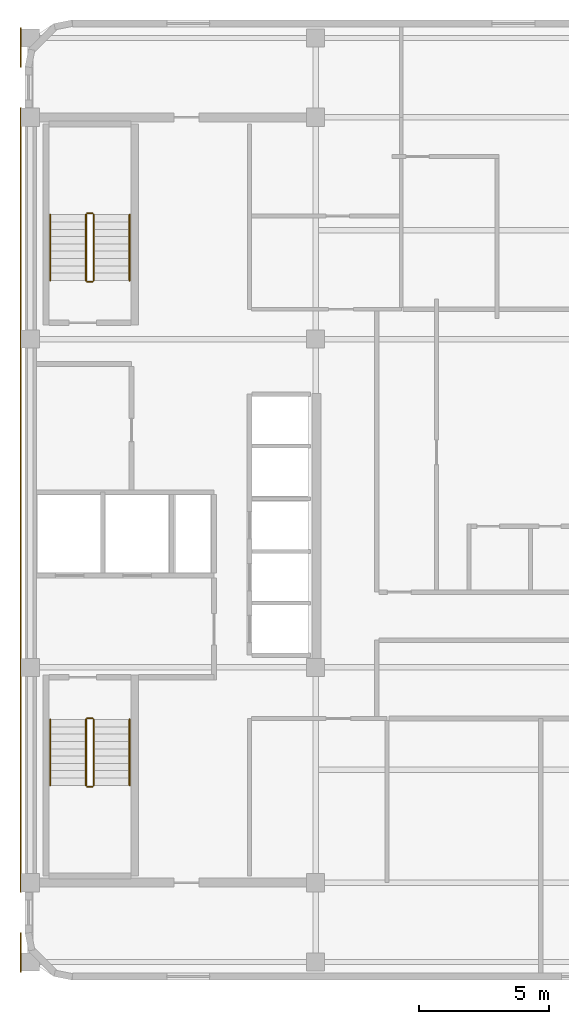
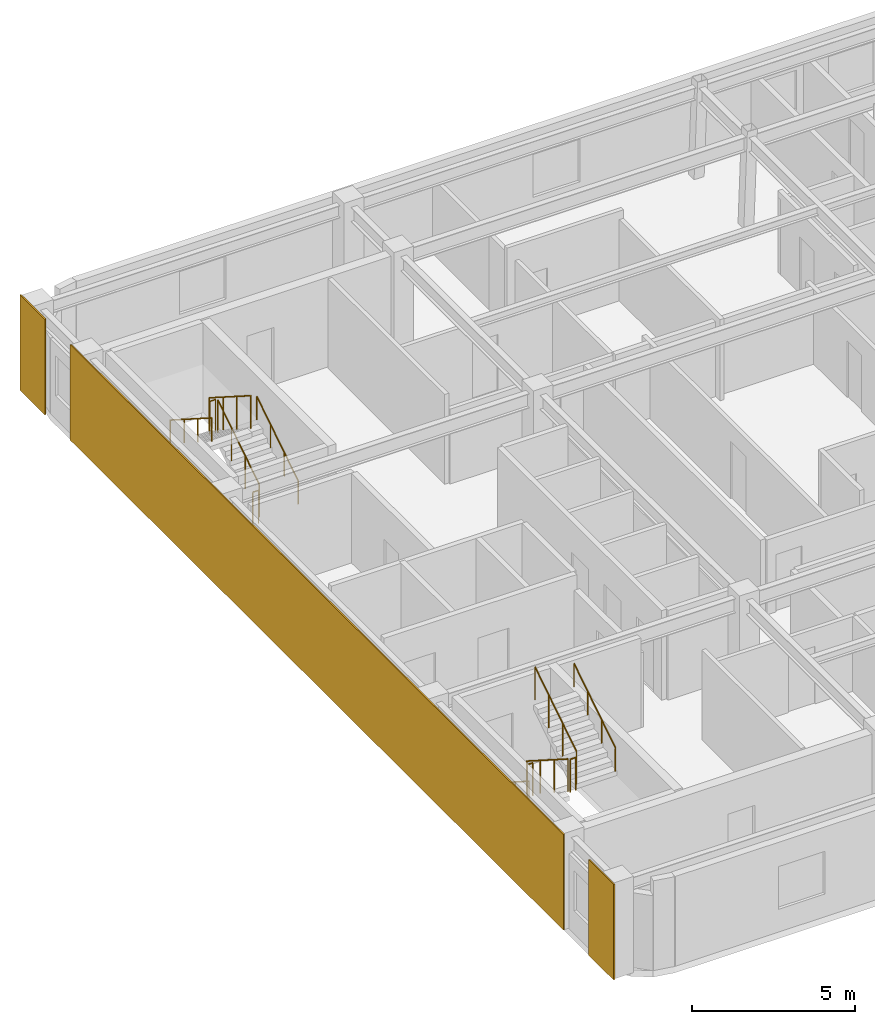
# One storey, part 7 of 7: 12 railings, 3 coverings.
"""IFC4 building model written with IfcOpenShell, lengths in metres."""

from ifc_helpers import new_model, si_unit, direction, frame, origin, origin_2d, place, context, subcontext, project, spatial, rectangle, circle, extrude, material, layer, layer_set, type_object, element, save


model = new_model("IFC4")

# Units and contexts
model_context = context("Model", 3, precision=1e-05, world=origin(), true_north=direction((0.0, 1.0)))
body_context = subcontext(model_context, "Body", "Model", "MODEL_VIEW")
ifc_project = project(units=[si_unit("LENGTHUNIT", "METRE"), si_unit("AREAUNIT", "SQUARE_METRE"), si_unit("VOLUMEUNIT", "CUBIC_METRE"), si_unit("PLANEANGLEUNIT", "RADIAN"), si_unit("MASSUNIT", "GRAM", prefix="KILO")], contexts=[model_context])

# Site, building, storey
site_placement = place(None, origin())
site = spatial("IfcSite", under=ifc_project, at=site_placement, CompositionType="ELEMENT")
building_placement = place(site_placement, origin())
building = spatial("IfcBuilding", under=site, at=building_placement, Name="Ochreholt Gables", CompositionType="ELEMENT")
storey_placement = place(building_placement, frame((0.0, 0.0, 216.60009765625)))
storey = spatial("IfcBuildingStorey", under=building, at=storey_placement, Name="L56", CompositionType="ELEMENT", Elevation=216.60009765625)

# Coverings
ifc_material_1 = material(Name="Glazed Ochre Terracotta Rainscreen Cladding", Category="masonry")
ifc_layer = layer(ifc_material_1, 0.044921875, Name="Glazed Ochre Terracotta Rainscreen Cladding")
ifc_layer_set = layer_set([ifc_layer], Name="Glazed Ochre Terracotta Rainscreen Cladding")
covering_type = type_object("IfcCoveringType", Name="COV-CLAD-TC", PredefinedType="CLADDING", material=ifc_layer_set)
covering_placement = place(storey_placement, frame((23.827880859375, 24.0, 0.009765625), z_axis=(0.0, 0.0, 1.0), x_axis=(0.0, 1.0, 0.0)))
element("IfcCovering", 1, at=covering_placement, inside=storey, type_object=covering_type, Name="L56 West Core Terracotta Rainscreen Cladding", PredefinedType="CLADDING", context=body_context, shape_type="SweptSolid", body=[
    extrude(rectangle(XDim=30.239990234375, YDim=0.044921875, at=origin_2d()), origin(), (0.0, 0.0, 1.0), 3.580078125),
])
for number, where, z_axis, x_axis, name in (
    (2, (23.827880859375, 6.56005859375, 0.009765625), (0.0, 0.0, 1.0), (0.0, 1.0, 0.0), "L56 South-West Pier Terracotta Cladding"),
    (3, (23.827880859375, 41.43994140625, 0.009765625), (0.0, 0.0, 1.0), (0.0, 1.0, 0.0), "L56 North-West Pier Terracotta Cladding"),
):
    element("IfcCovering", number, at=place(storey_placement, frame(where, z_axis=z_axis, x_axis=x_axis)), inside=storey, type_object=covering_type, Name=name, PredefinedType="CLADDING", context=body_context, shape_type="SweptSolid", body=[
        extrude(rectangle(XDim=1.52001953125, YDim=0.044921875, at=origin_2d()), origin(), (0.0, 0.0, 1.0), 3.580078125),
    ])

# Railings
ifc_material_2 = material(Name="Painted Steel Stair Guardrail", Category="steel")
railing_type_1 = type_object("IfcRailingType", Name="RL-ST-GUARD", PredefinedType="GUARDRAIL", material=ifc_material_2)
railing_1_placement = place(storey_placement, frame((26.35009765625, 15.5400390625, 0.179931640625)))
element("IfcRailing", 4, at=railing_1_placement, inside=storey, type_object=railing_type_1, Name="L56 ST-1 stair guard 1", PredefinedType="GUARDRAIL", context=body_context, shape_type="SweptSolid", body=[
    extrude(circle(Radius=0.02392578125, at=origin_2d()), frame((0.0, 0.0, 1.22607421875), z_axis=(0.0, -0.842949592929, 0.537992549931), x_axis=(1.0, 0.0, 0.0)), (0.0, 0.0, 1.0), 3.010986328125),
    extrude(circle(Radius=0.02099609375, at=origin_2d()), origin(), (0.0, 0.0, 1.0), 1.201904296875),
    extrude(circle(Radius=0.02099609375, at=origin_2d()), frame((0.0, -0.845947265625, 0.5400390625)), (0.0, 0.0, 1.0), 1.201904296875),
    extrude(circle(Radius=0.02099609375, at=origin_2d()), frame((0.0, -1.692138671875, 1.079833984375)), (0.0, 0.0, 1.0), 1.201904296875),
    extrude(circle(Radius=0.02099609375, at=origin_2d()), frame((0.0, -2.5380859375, 1.619873046875)), (0.0, 0.0, 1.0), 1.201904296875),
])
railing_2_placement = place(storey_placement, frame((26.39990234375, 12.951904296875, 1.7998046875)))
element("IfcRailing", 5, at=railing_2_placement, inside=storey, type_object=railing_type_1, Name="L56 ST-1 stair guard 2", PredefinedType="GUARDRAIL", context=body_context, shape_type="SweptSolid", body=[
    extrude(circle(Radius=0.02392578125, at=origin_2d()), frame((0.0, 0.0, 1.22607421875), z_axis=(1.0, 0.0, 0.0), x_axis=(0.0, 1.0, 0.0)), (0.0, 0.0, 1.0), 0.2001953125),
    extrude(circle(Radius=0.02099609375, at=origin_2d()), origin(), (0.0, 0.0, 1.0), 1.201904296875),
    extrude(circle(Radius=0.02099609375, at=origin_2d()), frame((0.2001953125, 0.0, 0.0)), (0.0, 0.0, 1.0), 1.201904296875),
])
railing_3_placement = place(storey_placement, frame((26.64990234375, 13.001953125, 1.97998046875)))
element("IfcRailing", 6, at=railing_3_placement, inside=storey, type_object=railing_type_1, Name="L56 ST-1 stair guard 3", PredefinedType="GUARDRAIL", context=body_context, shape_type="SweptSolid", body=[
    extrude(circle(Radius=0.02392578125, at=origin_2d()), frame((0.0, 0.0, 1.22607421875), z_axis=(0.0, 0.842949592929, 0.537992549931), x_axis=(-1.0, 0.0, 0.0)), (0.0, 0.0, 1.0), 3.010986328125),
    extrude(circle(Radius=0.02099609375, at=origin_2d()), origin(), (0.0, 0.0, 1.0), 1.201904296875),
    extrude(circle(Radius=0.02099609375, at=origin_2d()), frame((0.0, 0.845947265625, 0.5400390625)), (0.0, 0.0, 1.0), 1.201904296875),
    extrude(circle(Radius=0.02099609375, at=origin_2d()), frame((0.0, 1.692138671875, 1.079833984375)), (0.0, 0.0, 1.0), 1.201904296875),
    extrude(circle(Radius=0.02099609375, at=origin_2d()), frame((0.0, 2.5380859375, 1.619873046875)), (0.0, 0.0, 1.0), 1.201904296875),
])
railing_4_placement = place(storey_placement, frame((26.39990234375, 15.590087890625, 0.0)))
element("IfcRailing", 7, at=railing_4_placement, inside=storey, type_object=railing_type_1, Name="L56 ST-1 stair guard 4", PredefinedType="GUARDRAIL", context=body_context, shape_type="SweptSolid", body=[
    extrude(circle(Radius=0.02392578125, at=origin_2d()), frame((0.0, 0.0, 1.22607421875), z_axis=(1.0, 0.0, 0.0), x_axis=(0.0, 1.0, 0.0)), (0.0, 0.0, 1.0), 0.2001953125),
    extrude(circle(Radius=0.02099609375, at=origin_2d()), origin(), (0.0, 0.0, 1.0), 1.201904296875),
    extrude(circle(Radius=0.02099609375, at=origin_2d()), frame((0.2001953125, 0.0, 0.0)), (0.0, 0.0, 1.0), 1.201904296875),
])
railing_5_placement = place(storey_placement, frame((26.64990234375, 32.4599609375, 0.179931640625)))
element("IfcRailing", 8, at=railing_5_placement, inside=storey, type_object=railing_type_1, Name="L56 ST-2 stair guard 1", PredefinedType="GUARDRAIL", context=body_context, shape_type="SweptSolid", body=[
    extrude(circle(Radius=0.02392578125, at=origin_2d()), frame((0.0, 0.0, 1.22607421875), z_axis=(0.0, 0.842949592929, 0.537992549931), x_axis=(-1.0, 0.0, 0.0)), (0.0, 0.0, 1.0), 3.010986328125),
    extrude(circle(Radius=0.02099609375, at=origin_2d()), origin(), (0.0, 0.0, 1.0), 1.201904296875),
    extrude(circle(Radius=0.02099609375, at=origin_2d()), frame((0.0, 0.845947265625, 0.5400390625)), (0.0, 0.0, 1.0), 1.201904296875),
    extrude(circle(Radius=0.02099609375, at=origin_2d()), frame((0.0, 1.692138671875, 1.079833984375)), (0.0, 0.0, 1.0), 1.201904296875),
    extrude(circle(Radius=0.02099609375, at=origin_2d()), frame((0.0, 2.5380859375, 1.619873046875)), (0.0, 0.0, 1.0), 1.201904296875),
])
railing_6_placement = place(storey_placement, frame((26.60009765625, 35.048095703125, 1.7998046875)))
element("IfcRailing", 9, at=railing_6_placement, inside=storey, type_object=railing_type_1, Name="L56 ST-2 stair guard 2", PredefinedType="GUARDRAIL", context=body_context, shape_type="SweptSolid", body=[
    extrude(circle(Radius=0.02392578125, at=origin_2d()), frame((0.0, 0.0, 1.22607421875), z_axis=(-1.0, 0.0, 0.0), x_axis=(0.0, -1.0, 0.0)), (0.0, 0.0, 1.0), 0.2001953125),
    extrude(circle(Radius=0.02099609375, at=origin_2d()), origin(), (0.0, 0.0, 1.0), 1.201904296875),
    extrude(circle(Radius=0.02099609375, at=origin_2d()), frame((-0.2001953125, 0.0, 0.0)), (0.0, 0.0, 1.0), 1.201904296875),
])
railing_7_placement = place(storey_placement, frame((26.35009765625, 34.998046875, 1.97998046875)))
element("IfcRailing", 10, at=railing_7_placement, inside=storey, type_object=railing_type_1, Name="L56 ST-2 stair guard 3", PredefinedType="GUARDRAIL", context=body_context, shape_type="SweptSolid", body=[
    extrude(circle(Radius=0.02392578125, at=origin_2d()), frame((0.0, 0.0, 1.22607421875), z_axis=(0.0, -0.842949592929, 0.537992549931), x_axis=(1.0, 0.0, 0.0)), (0.0, 0.0, 1.0), 3.010986328125),
    extrude(circle(Radius=0.02099609375, at=origin_2d()), origin(), (0.0, 0.0, 1.0), 1.201904296875),
    extrude(circle(Radius=0.02099609375, at=origin_2d()), frame((0.0, -0.845947265625, 0.5400390625)), (0.0, 0.0, 1.0), 1.201904296875),
    extrude(circle(Radius=0.02099609375, at=origin_2d()), frame((0.0, -1.692138671875, 1.079833984375)), (0.0, 0.0, 1.0), 1.201904296875),
    extrude(circle(Radius=0.02099609375, at=origin_2d()), frame((0.0, -2.5380859375, 1.619873046875)), (0.0, 0.0, 1.0), 1.201904296875),
])
railing_8_placement = place(storey_placement, frame((26.60009765625, 32.409912109375, 0.0)))
element("IfcRailing", 11, at=railing_8_placement, inside=storey, type_object=railing_type_1, Name="L56 ST-2 stair guard 4", PredefinedType="GUARDRAIL", context=body_context, shape_type="SweptSolid", body=[
    extrude(circle(Radius=0.02392578125, at=origin_2d()), frame((0.0, 0.0, 1.22607421875), z_axis=(-1.0, 0.0, 0.0), x_axis=(0.0, -1.0, 0.0)), (0.0, 0.0, 1.0), 0.2001953125),
    extrude(circle(Radius=0.02099609375, at=origin_2d()), origin(), (0.0, 0.0, 1.0), 1.201904296875),
    extrude(circle(Radius=0.02099609375, at=origin_2d()), frame((-0.2001953125, 0.0, 0.0)), (0.0, 0.0, 1.0), 1.201904296875),
])
ifc_material_3 = material(Name="Brushed Stainless Steel Wall Handrail", Category="steel")
railing_type_2 = type_object("IfcRailingType", Name="RL-ST-HAND", PredefinedType="HANDRAIL", material=ifc_material_3)
railing_9_placement = place(storey_placement, frame((24.969970703125, 15.5400390625, 0.179931640625)))
element("IfcRailing", 12, at=railing_9_placement, inside=storey, type_object=railing_type_2, Name="L56 ST-1 stair handrail 1", PredefinedType="HANDRAIL", context=body_context, shape_type="SweptSolid", body=[
    extrude(circle(Radius=0.02392578125, at=origin_2d()), frame((0.0, 0.0, 0.8759765625), z_axis=(0.0, -0.842949592929, 0.537992549931), x_axis=(1.0, 0.0, 0.0)), (0.0, 0.0, 1.0), 3.010986328125),
    extrude(circle(Radius=0.02099609375, at=origin_2d()), origin(), (0.0, 0.0, 1.0), 0.851806640625),
    extrude(circle(Radius=0.02099609375, at=origin_2d()), frame((0.0, -0.845947265625, 0.5400390625)), (0.0, 0.0, 1.0), 0.851806640625),
    extrude(circle(Radius=0.02099609375, at=origin_2d()), frame((0.0, -1.692138671875, 1.079833984375)), (0.0, 0.0, 1.0), 0.851806640625),
    extrude(circle(Radius=0.02099609375, at=origin_2d()), frame((0.0, -2.5380859375, 1.619873046875)), (0.0, 0.0, 1.0), 0.851806640625),
])
for number, where, name in (
    (13, (28.030029296875, 13.001953125, 1.97998046875), "L56 ST-1 stair handrail 2"),
    (14, (28.030029296875, 32.4599609375, 0.179931640625), "L56 ST-2 stair handrail 1"),
):
    element("IfcRailing", number, at=place(storey_placement, frame(where)), inside=storey, type_object=railing_type_2, Name=name, PredefinedType="HANDRAIL", context=body_context, shape_type="SweptSolid", body=[
        extrude(circle(Radius=0.02392578125, at=origin_2d()), frame((0.0, 0.0, 0.8759765625), z_axis=(0.0, 0.842949592929, 0.537992549931), x_axis=(-1.0, 0.0, 0.0)), (0.0, 0.0, 1.0), 3.010986328125),
        extrude(circle(Radius=0.02099609375, at=origin_2d()), origin(), (0.0, 0.0, 1.0), 0.851806640625),
        extrude(circle(Radius=0.02099609375, at=origin_2d()), frame((0.0, 0.845947265625, 0.5400390625)), (0.0, 0.0, 1.0), 0.851806640625),
        extrude(circle(Radius=0.02099609375, at=origin_2d()), frame((0.0, 1.692138671875, 1.079833984375)), (0.0, 0.0, 1.0), 0.851806640625),
        extrude(circle(Radius=0.02099609375, at=origin_2d()), frame((0.0, 2.5380859375, 1.619873046875)), (0.0, 0.0, 1.0), 0.851806640625),
    ])
railing_10_placement = place(storey_placement, frame((24.969970703125, 34.998046875, 1.97998046875)))
element("IfcRailing", 15, at=railing_10_placement, inside=storey, type_object=railing_type_2, Name="L56 ST-2 stair handrail 2", PredefinedType="HANDRAIL", context=body_context, shape_type="SweptSolid", body=[
    extrude(circle(Radius=0.02392578125, at=origin_2d()), frame((0.0, 0.0, 0.8759765625), z_axis=(0.0, -0.842949592929, 0.537992549931), x_axis=(1.0, 0.0, 0.0)), (0.0, 0.0, 1.0), 3.010986328125),
    extrude(circle(Radius=0.02099609375, at=origin_2d()), origin(), (0.0, 0.0, 1.0), 0.851806640625),
    extrude(circle(Radius=0.02099609375, at=origin_2d()), frame((0.0, -0.845947265625, 0.5400390625)), (0.0, 0.0, 1.0), 0.851806640625),
    extrude(circle(Radius=0.02099609375, at=origin_2d()), frame((0.0, -1.692138671875, 1.079833984375)), (0.0, 0.0, 1.0), 0.851806640625),
    extrude(circle(Radius=0.02099609375, at=origin_2d()), frame((0.0, -2.5380859375, 1.619873046875)), (0.0, 0.0, 1.0), 0.851806640625),
])

save(model, "model.ifc")
